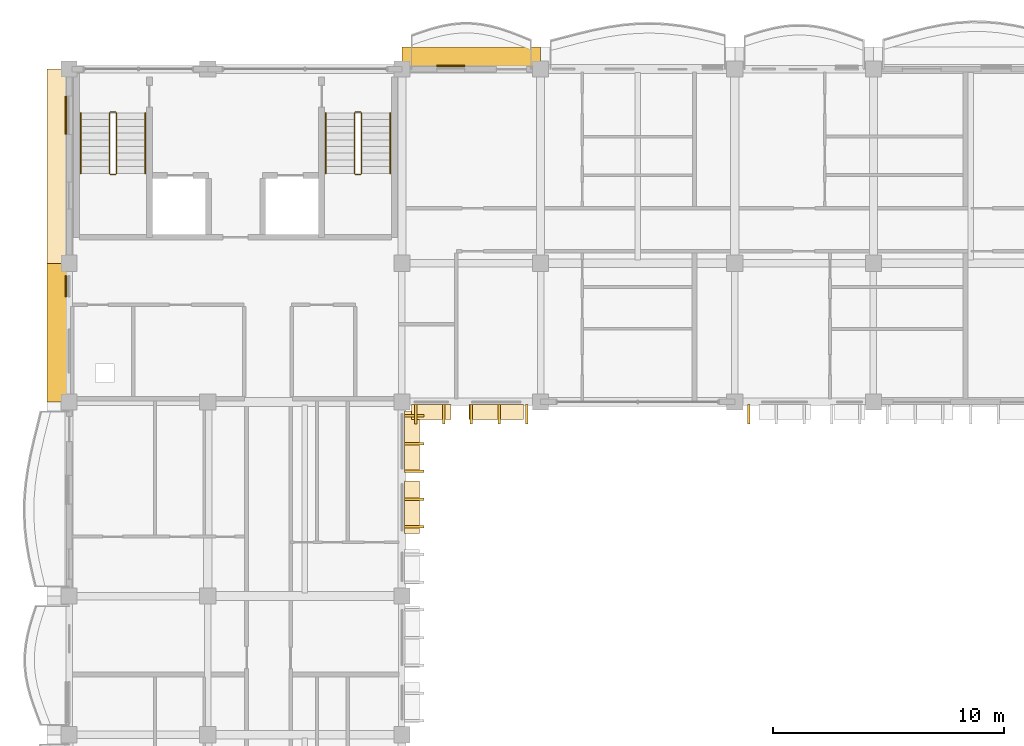
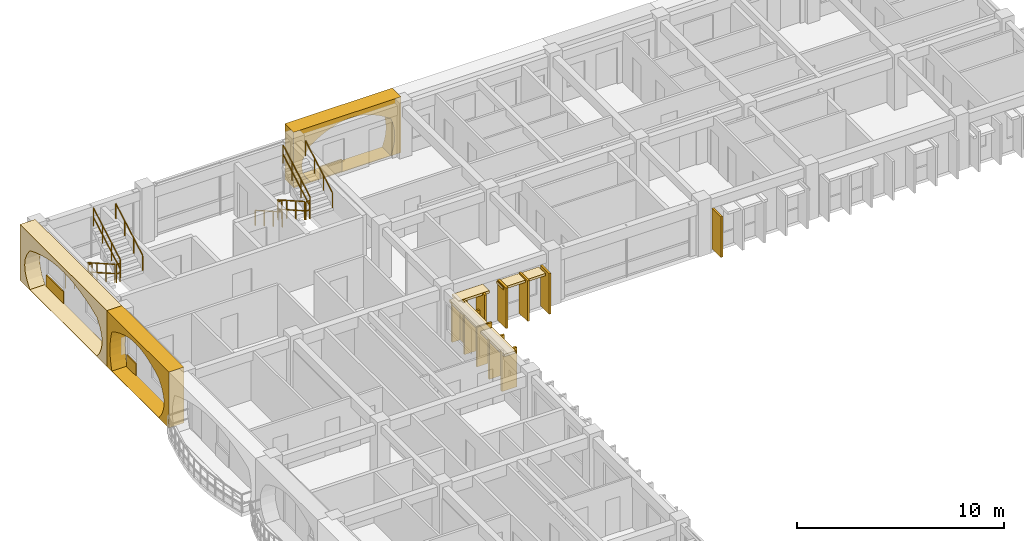
# One storey, part 60 of 79: 21 coverings, 12 railings.
"""IFC4 building model written with IfcOpenShell, lengths in metres."""

from ifc_helpers import new_model, si_unit, direction, frame, origin, origin_2d, place, context, subcontext, project, spatial, polyline, rectangle, outline, extrude, material, layer, layer_set, type_object, element, save


model = new_model("IFC4")

# Units and contexts
model_context = context("Model", 3, precision=1e-05, world=origin(), true_north=direction((0.0, 1.0)))
body_context = subcontext(model_context, "Body", "Model", "MODEL_VIEW")
ifc_project = project(units=[si_unit("LENGTHUNIT", "METRE"), si_unit("AREAUNIT", "SQUARE_METRE"), si_unit("VOLUMEUNIT", "CUBIC_METRE"), si_unit("PLANEANGLEUNIT", "RADIAN"), si_unit("MASSUNIT", "GRAM", prefix="KILO"), si_unit("THERMODYNAMICTEMPERATUREUNIT", "KELVIN")], contexts=[model_context])

# Site, building, storey
site_placement = place(None, origin())
site = spatial("IfcSite", under=ifc_project, at=site_placement, CompositionType="ELEMENT")
building_placement = place(site_placement, origin())
building = spatial("IfcBuilding", under=site, at=building_placement, Name="Thalorik Housing Commons", CompositionType="ELEMENT")
storey_placement = place(building_placement, frame((0.0, 0.0, 11.39990234375)))
storey = spatial("IfcBuildingStorey", under=building, at=storey_placement, Name="L03", CompositionType="ELEMENT", Elevation=11.39990234375)

# Coverings
ifc_material_1 = material(Name="Cobalt blue glazed ceramic facade tile panel", Category="masonry")
ifc_layer_1 = layer(ifc_material_1, 0.06005859375, Name="Cobalt blue glazed ceramic facade tile panel", Category="masonry")
ifc_layer_set_1 = layer_set([ifc_layer_1], Name="Cobalt blue glazed ceramic facade tile panel")
covering_type_1 = type_object("IfcCoveringType", Name="ARC-CLD-BLU-60", PredefinedType="CLADDING", material=ifc_layer_set_1)
covering_1_placement = place(storey_placement, frame((8.262451171875, 114.205078125, 0.05029296875), z_axis=(0.0, 0.0, 1.0), x_axis=(0.0, -1.0, 0.0)))
element("IfcCovering", 1, at=covering_1_placement, inside=storey, type_object=covering_type_1, Name="L03 De Stijl Recessed Window Spandrel 316", PredefinedType="CLADDING", context=body_context, shape_type="SweptSolid", body=[
    extrude(rectangle(XDim=0.89990234375, YDim=0.06005859375, at=origin_2d()), origin(), (0.0, 0.0, 1.0), 0.699951171875),
])
ifc_material_2 = material(Name="Precast concrete C40/50", Category="concrete")
ifc_layer_2 = layer(ifc_material_2, 0.85009765625, Name="Precast concrete C40/50", Category="concrete")
ifc_layer_set_2 = layer_set([ifc_layer_2], Name="Precast concrete C40/50")
covering_type_2 = type_object("IfcCoveringType", Name="ARC-CLD-CUSH-850", PredefinedType="CLADDING", material=ifc_layer_set_2)
covering_2_placement = place(storey_placement, frame((25.800048828125, 124.12744140625, 0.0), z_axis=(0.0, 0.0, 1.0), x_axis=(-1.0, 0.0, 0.0)))
element("IfcCovering", 2, at=covering_2_placement, inside=storey, type_object=covering_type_2, Name="L03 White Precast Curved Cushion Bay Frame 311", PredefinedType="CLADDING", context=body_context, shape_type="SweptSolid", body=[
    extrude(outline(polyline([(-3.0, 0.0), (3.0, 0.0), (3.0, 3.300048828125), (-3.0, 3.300048828125), (-3.0, 0.0)]), holes=[polyline([(2.0400390625, 0.02490234375), (2.3232421875, 0.387451171875), (2.493408203125, 0.75), (2.550048828125, 1.112548828125), (2.493408203125, 1.47509765625), (2.3232421875, 1.83740234375), (2.0400390625, 2.199951171875), (1.66748046875, 2.455810546875), (1.294921875, 2.656494140625), (0.922607421875, 2.819091796875), (0.550048828125, 2.940185546875), (0.177490234375, 3.014892578125), (-0.195068359375, 3.0400390625), (-0.5673828125, 3.014892578125), (-0.93994140625, 2.940185546875), (-1.3125, 2.819091796875), (-1.68505859375, 2.656494140625), (-2.0576171875, 2.455810546875), (-2.429931640625, 2.199951171875), (-2.55029296875, 1.83740234375), (-2.62255859375, 1.47509765625), (-2.646484375, 1.112548828125), (-2.62255859375, 0.75), (-2.55029296875, 0.387451171875), (-2.429931640625, 0.02490234375), (2.0400390625, 0.02490234375)])]), frame((0.0, 0.425048828125, 0.0), z_axis=(0.0, -1.0, 0.0), x_axis=(1.0, 0.0, 0.0)), (0.0, 0.0, 1.0), 0.85009765625),
])
covering_3_placement = place(storey_placement, frame((7.87255859375, 119.39990234375, 0.0), z_axis=(0.0, 0.0, 1.0), x_axis=(0.0, -1.0, 0.0)))
element("IfcCovering", 3, at=covering_3_placement, inside=storey, type_object=covering_type_2, Name="L03 White Precast Curved Cushion Bay Frame 313", PredefinedType="CLADDING", context=body_context, shape_type="SweptSolid", body=[
    extrude(outline(polyline([(-4.199951171875, 0.0), (4.199951171875, 0.0), (4.199951171875, 3.300048828125), (-4.199951171875, 3.300048828125), (-4.199951171875, 0.0)]), holes=[polyline([(3.239990234375, 0.02490234375), (3.523193359375, 0.407470703125), (3.693359375, 0.7900390625), (3.75, 1.172607421875), (3.693359375, 1.554931640625), (3.523193359375, 1.9375), (3.239990234375, 2.320068359375), (2.699951171875, 2.539306640625), (2.159912109375, 2.711181640625), (1.6201171875, 2.8505859375), (1.080078125, 2.954345703125), (0.5400390625, 3.018310546875), (0.0, 3.0400390625), (-0.5400390625, 3.018310546875), (-1.080078125, 2.954345703125), (-1.6201171875, 2.8505859375), (-2.159912109375, 2.711181640625), (-2.699951171875, 2.539306640625), (-3.239990234375, 2.320068359375), (-3.523193359375, 1.9375), (-3.693359375, 1.554931640625), (-3.75, 1.172607421875), (-3.693359375, 0.7900390625), (-3.523193359375, 0.407470703125), (-3.239990234375, 0.02490234375), (3.239990234375, 0.02490234375)])]), frame((0.0, 0.425048828125, 0.0), z_axis=(0.0, -1.0, 0.0), x_axis=(1.0, 0.0, 0.0)), (0.0, 0.0, 1.0), 0.85009765625),
])
covering_4_placement = place(storey_placement, frame((7.87255859375, 112.199951171875, 0.0), z_axis=(0.0, 0.0, 1.0), x_axis=(0.0, -1.0, 0.0)))
element("IfcCovering", 4, at=covering_4_placement, inside=storey, type_object=covering_type_2, Name="L03 White Precast Curved Cushion Bay Frame 315", PredefinedType="CLADDING", context=body_context, shape_type="SweptSolid", body=[
    extrude(outline(polyline([(-3.0, 0.0), (3.0, 0.0), (3.0, 3.300048828125), (-3.0, 3.300048828125), (-3.0, 0.0)]), holes=[polyline([(2.0400390625, 0.02490234375), (2.3232421875, 0.410888671875), (2.493408203125, 0.796630859375), (2.550048828125, 1.1826171875), (2.493408203125, 1.568359375), (2.3232421875, 1.9541015625), (2.0400390625, 2.340087890625), (1.661376953125, 2.552978515625), (1.282470703125, 2.720458984375), (0.90380859375, 2.85595703125), (0.52490234375, 2.956787109375), (0.146240234375, 3.01904296875), (-0.232421875, 3.0400390625), (-0.611328125, 3.01904296875), (-0.989990234375, 2.956787109375), (-1.36865234375, 2.85595703125), (-1.74755859375, 2.720458984375), (-2.126220703125, 2.552978515625), (-2.5048828125, 2.340087890625), (-2.609619140625, 1.9541015625), (-2.672119140625, 1.568359375), (-2.693115234375, 1.1826171875), (-2.672119140625, 0.796630859375), (-2.609619140625, 0.410888671875), (-2.5048828125, 0.02490234375), (2.0400390625, 0.02490234375)])]), frame((0.0, 0.425048828125, 0.0), z_axis=(0.0, -1.0, 0.0), x_axis=(1.0, 0.0, 0.0)), (0.0, 0.0, 1.0), 0.85009765625),
])
ifc_layer_3 = layer(ifc_material_2, 0.85009765625, Name="Precast concrete C40/50", Category="concrete")
ifc_layer_set_3 = layer_set([ifc_layer_3], Name="Precast concrete C40/50")
covering_type_3 = type_object("IfcCoveringType", Name="ARC-CLD-FIN-850", PredefinedType="CLADDING", material=ifc_layer_set_3)
for number, where, z_axis, x_axis, name in (
    (5, (23.39990234375, 108.672607421875, 0.0400390625), (0.0, 0.0, 1.0), (1.0, 0.0, 0.0), "L03 Courtyard Precast Vertical Brise-Soleil Fin 266"),
    (6, (24.60009765625, 108.672607421875, 0.0400390625), (0.0, 0.0, 1.0), (1.0, 0.0, 0.0), "L03 Courtyard Precast Vertical Brise-Soleil Fin 267"),
    (7, (25.800048828125, 108.672607421875, 0.0400390625), (0.0, 0.0, 1.0), (1.0, 0.0, 0.0), "L03 Courtyard Precast Vertical Brise-Soleil Fin 268"),
    (8, (27.0, 108.672607421875, 0.0400390625), (0.0, 0.0, 1.0), (1.0, 0.0, 0.0), "L03 Courtyard Precast Vertical Brise-Soleil Fin 269"),
    (9, (28.199951171875, 108.672607421875, 0.0400390625), (0.0, 0.0, 1.0), (1.0, 0.0, 0.0), "L03 Courtyard Precast Vertical Brise-Soleil Fin 270"),
    (10, (37.800048828125, 108.672607421875, 0.0400390625), (0.0, 0.0, 1.0), (1.0, 0.0, 0.0), "L03 Courtyard Precast Vertical Brise-Soleil Fin 273"),
):
    element("IfcCovering", number, at=place(storey_placement, frame(where, z_axis=z_axis, x_axis=x_axis)), inside=storey, type_object=covering_type_3, Name=name, PredefinedType="CLADDING", context=body_context, shape_type="SweptSolid", body=[
        extrude(rectangle(XDim=0.110107421875, YDim=0.85009765625, at=origin_2d()), origin(), (0.0, 0.0, 1.0), 2.39501953125),
    ])
for number, where, z_axis, x_axis, name in (
    (11, (23.327392578125, 103.800048828125, 0.0400390625), (0.0, 0.0, 1.0), (0.0, 1.0, 0.0), "L03 Courtyard Precast Vertical Brise-Soleil Fin 362"),
    (12, (23.327392578125, 105.0, 0.0400390625), (0.0, 0.0, 1.0), (0.0, 1.0, 0.0), "L03 Courtyard Precast Vertical Brise-Soleil Fin 363"),
    (13, (23.327392578125, 106.199951171875, 0.0400390625), (0.0, 0.0, 1.0), (0.0, 1.0, 0.0), "L03 Courtyard Precast Vertical Brise-Soleil Fin 364"),
    (14, (23.327392578125, 107.39990234375, 0.0400390625), (0.0, 0.0, 1.0), (0.0, 1.0, 0.0), "L03 Courtyard Precast Vertical Brise-Soleil Fin 365"),
    (15, (23.327392578125, 108.60009765625, 0.0400390625), (0.0, 0.0, 1.0), (0.0, 1.0, 0.0), "L03 Courtyard Precast Vertical Brise-Soleil Fin 366"),
):
    element("IfcCovering", number, at=place(storey_placement, frame(where, z_axis=z_axis, x_axis=x_axis)), inside=storey, type_object=covering_type_3, Name=name, PredefinedType="CLADDING", context=body_context, shape_type="SweptSolid", body=[
        extrude(rectangle(XDim=0.110107421875, YDim=0.85009765625, at=origin_2d()), origin(), (0.0, 0.0, 1.0), 2.344970703125),
    ])
ifc_layer_4 = layer(ifc_material_2, 0.64990234375, Name="Precast concrete C40/50", Category="concrete")
ifc_layer_set_4 = layer_set([ifc_layer_4], Name="Precast concrete C40/50")
covering_type_4 = type_object("IfcCoveringType", Name="ARC-CLD-HOOD-650", PredefinedType="CLADDING", material=ifc_layer_set_4)
covering_5_placement = place(storey_placement, frame((24.070068359375, 108.7724609375, 2.31005859375), z_axis=(0.0, 0.0, 1.0), x_axis=(1.0, 0.0, 0.0)))
element("IfcCovering", 16, at=covering_5_placement, inside=storey, type_object=covering_type_4, Name="L03 Courtyard Precast Window Sun-Hood 271", PredefinedType="CLADDING", context=body_context, shape_type="SweptSolid", body=[
    extrude(rectangle(XDim=1.719970703125, YDim=0.64990234375, at=origin_2d()), origin(), (0.0, 0.0, 1.0), 0.139892578125),
])
covering_6_placement = place(storey_placement, frame((26.8798828125, 108.7724609375, 2.22998046875), z_axis=(0.0, 0.0, 1.0), x_axis=(1.0, 0.0, 0.0)))
element("IfcCovering", 17, at=covering_6_placement, inside=storey, type_object=covering_type_4, Name="L03 Courtyard Precast Window Sun-Hood 272", PredefinedType="CLADDING", context=body_context, shape_type="SweptSolid", body=[
    extrude(rectangle(XDim=2.360107421875, YDim=0.64990234375, at=origin_2d()), origin(), (0.0, 0.0, 1.0), 0.139892578125),
])
covering_7_placement = place(storey_placement, frame((23.2275390625, 104.639892578125, 2.25), z_axis=(0.0, 0.0, 1.0), x_axis=(0.0, 1.0, 0.0)))
element("IfcCovering", 18, at=covering_7_placement, inside=storey, type_object=covering_type_4, Name="L03 Courtyard Precast Window Sun-Hood 368", PredefinedType="CLADDING", context=body_context, shape_type="SweptSolid", body=[
    extrude(rectangle(XDim=2.280029296875, YDim=0.64990234375, at=origin_2d()), origin(), (0.0, 0.0, 1.0), 0.139892578125),
])
covering_8_placement = place(storey_placement, frame((23.2275390625, 107.506591796875, 2.27001953125), z_axis=(0.0, 0.0, 1.0), x_axis=(0.0, 1.0, 0.0)))
element("IfcCovering", 19, at=covering_8_placement, inside=storey, type_object=covering_type_4, Name="L03 Courtyard Precast Window Sun-Hood 369", PredefinedType="CLADDING", context=body_context, shape_type="SweptSolid", body=[
    extrude(rectangle(XDim=2.6201171875, YDim=0.64990234375, at=origin_2d()), origin(), (0.0, 0.0, 1.0), 0.139892578125),
])
ifc_material_3 = material(Name="Terracotta red mineral fibre-cement panel", Category="masonry")
ifc_layer_5 = layer(ifc_material_3, 0.054931640625, Name="Terracotta red mineral fibre-cement panel", Category="masonry")
ifc_layer_set_5 = layer_set([ifc_layer_5], Name="Terracotta red mineral fibre-cement panel")
covering_type_5 = type_object("IfcCoveringType", Name="ARC-CLD-RED-55", PredefinedType="CLADDING", material=ifc_layer_set_5)
covering_9_placement = place(storey_placement, frame((24.909912109375, 123.735107421875, 0.05029296875), z_axis=(0.0, 0.0, 1.0), x_axis=(-1.0, 0.0, 0.0)))
element("IfcCovering", 20, at=covering_9_placement, inside=storey, type_object=covering_type_5, Name="L03 De Stijl Recessed Window Spandrel 312", PredefinedType="CLADDING", context=body_context, shape_type="SweptSolid", body=[
    extrude(rectangle(XDim=1.199951171875, YDim=0.054931640625, at=origin_2d()), origin(), (0.0, 0.0, 1.0), 0.699951171875),
])
covering_10_placement = place(storey_placement, frame((8.264892578125, 121.603759765625, 0.05029296875), z_axis=(0.0, 0.0, 1.0), x_axis=(0.0, -1.0, 0.0)))
element("IfcCovering", 21, at=covering_10_placement, inside=storey, type_object=covering_type_5, Name="L03 De Stijl Recessed Window Spandrel 314", PredefinedType="CLADDING", context=body_context, shape_type="SweptSolid", body=[
    extrude(rectangle(XDim=1.64990234375, YDim=0.054931640625, at=origin_2d()), origin(), (0.0, 0.0, 1.0), 0.699951171875),
])

# Railings
ifc_material_4 = material(Name="Steel S355", Category="steel")
railing_type_1 = type_object("IfcRailingType", Name="ARC-RL-STR-GRD110", PredefinedType="GUARDRAIL", material=ifc_material_4)
railing_1_placement = place(storey_placement, frame((10.14990234375, 121.699951171875, 0.1650390625)))
element("IfcRailing", 22, at=railing_1_placement, inside=storey, type_object=railing_type_1, Name="L03 ST-A1 stair guard 1", PredefinedType="GUARDRAIL", context=body_context, shape_type="SweptSolid", body=[
    extrude(rectangle(XDim=0.048095703125, YDim=0.048095703125, at=origin_2d()), frame((0.0, 0.0, 1.076171875), z_axis=(0.0, -0.869137319866, 0.494570843475), x_axis=(1.0, 0.0, 0.0)), (0.0, 0.0, 1.0), 3.0029296875),
    extrude(rectangle(XDim=0.048095703125, YDim=0.048095703125, at=origin_2d()), frame((0.0, 0.0, 0.52587890625), z_axis=(0.0, -0.869137319866, 0.494570843475), x_axis=(1.0, 0.0, 0.0)), (0.0, 0.0, 1.0), 3.0029296875),
    extrude(rectangle(XDim=0.0419921875, YDim=0.0419921875, at=origin_2d()), origin(), (0.0, 0.0, 1.0), 1.052001953125),
    extrude(rectangle(XDim=0.0419921875, YDim=0.0419921875, at=origin_2d()), frame((0.0, -0.869873046875, 0.4951171875)), (0.0, 0.0, 1.0), 1.052001953125),
    extrude(rectangle(XDim=0.0419921875, YDim=0.0419921875, at=origin_2d()), frame((0.0, -1.739990234375, 0.989990234375)), (0.0, 0.0, 1.0), 1.052001953125),
    extrude(rectangle(XDim=0.0419921875, YDim=0.0419921875, at=origin_2d()), frame((0.0, -2.60986328125, 1.485107421875)), (0.0, 0.0, 1.0), 1.052001953125),
])
railing_2_placement = place(storey_placement, frame((10.199951171875, 119.0400390625, 1.650146484375)))
element("IfcRailing", 23, at=railing_2_placement, inside=storey, type_object=railing_type_1, Name="L03 ST-A1 stair guard 2", PredefinedType="GUARDRAIL", context=body_context, shape_type="SweptSolid", body=[
    extrude(rectangle(XDim=0.048095703125, YDim=0.048095703125, at=origin_2d()), frame((0.0, 0.0, 1.076171875), z_axis=(1.0, 0.0, 0.0), x_axis=(0.0, 1.0, 0.0)), (0.0, 0.0, 1.0), 0.199951171875),
    extrude(rectangle(XDim=0.048095703125, YDim=0.048095703125, at=origin_2d()), frame((0.0, 0.0, 0.52587890625), z_axis=(1.0, 0.0, 0.0), x_axis=(0.0, 1.0, 0.0)), (0.0, 0.0, 1.0), 0.199951171875),
    extrude(rectangle(XDim=0.0419921875, YDim=0.0419921875, at=origin_2d()), origin(), (0.0, 0.0, 1.0), 1.052001953125),
    extrude(rectangle(XDim=0.0419921875, YDim=0.0419921875, at=origin_2d()), frame((0.199951171875, 0.0, 0.0)), (0.0, 0.0, 1.0), 1.052001953125),
])
railing_3_placement = place(storey_placement, frame((10.449951171875, 119.090087890625, 1.815185546875)))
element("IfcRailing", 24, at=railing_3_placement, inside=storey, type_object=railing_type_1, Name="L03 ST-A1 stair guard 3", PredefinedType="GUARDRAIL", context=body_context, shape_type="SweptSolid", body=[
    extrude(rectangle(XDim=0.048095703125, YDim=0.048095703125, at=origin_2d()), frame((0.0, 0.0, 1.076171875), z_axis=(0.0, 0.869172267526, 0.494509422927), x_axis=(-1.0, 0.0, 0.0)), (0.0, 0.0, 1.0), 3.002685546875),
    extrude(rectangle(XDim=0.048095703125, YDim=0.048095703125, at=origin_2d()), frame((0.0, 0.0, 0.52587890625), z_axis=(0.0, 0.869172267526, 0.494509422927), x_axis=(-1.0, 0.0, 0.0)), (0.0, 0.0, 1.0), 3.002685546875),
    extrude(rectangle(XDim=0.0419921875, YDim=0.0419921875, at=origin_2d()), origin(), (0.0, 0.0, 1.0), 1.052001953125),
    extrude(rectangle(XDim=0.0419921875, YDim=0.0419921875, at=origin_2d()), frame((0.0, 0.869873046875, 0.494873046875)), (0.0, 0.0, 1.0), 1.052001953125),
    extrude(rectangle(XDim=0.0419921875, YDim=0.0419921875, at=origin_2d()), frame((0.0, 1.739990234375, 0.989990234375)), (0.0, 0.0, 1.0), 1.052001953125),
    extrude(rectangle(XDim=0.0419921875, YDim=0.0419921875, at=origin_2d()), frame((0.0, 2.60986328125, 1.48486328125)), (0.0, 0.0, 1.0), 1.052001953125),
])
railing_4_placement = place(storey_placement, frame((10.199951171875, 121.75, 0.0)))
element("IfcRailing", 25, at=railing_4_placement, inside=storey, type_object=railing_type_1, Name="L03 ST-A1 stair guard 4", PredefinedType="GUARDRAIL", context=body_context, shape_type="SweptSolid", body=[
    extrude(rectangle(XDim=0.048095703125, YDim=0.048095703125, at=origin_2d()), frame((0.0, 0.0, 1.076171875), z_axis=(1.0, 0.0, 0.0), x_axis=(0.0, 1.0, 0.0)), (0.0, 0.0, 1.0), 0.199951171875),
    extrude(rectangle(XDim=0.048095703125, YDim=0.048095703125, at=origin_2d()), frame((0.0, 0.0, 0.52587890625), z_axis=(1.0, 0.0, 0.0), x_axis=(0.0, 1.0, 0.0)), (0.0, 0.0, 1.0), 0.199951171875),
    extrude(rectangle(XDim=0.0419921875, YDim=0.0419921875, at=origin_2d()), origin(), (0.0, 0.0, 1.0), 1.052001953125),
    extrude(rectangle(XDim=0.0419921875, YDim=0.0419921875, at=origin_2d()), frame((0.199951171875, 0.0, 0.0)), (0.0, 0.0, 1.0), 1.052001953125),
])
railing_5_placement = place(storey_placement, frame((20.75, 121.699951171875, 0.1650390625)))
element("IfcRailing", 26, at=railing_5_placement, inside=storey, type_object=railing_type_1, Name="L03 ST-A2 stair guard 1", PredefinedType="GUARDRAIL", context=body_context, shape_type="SweptSolid", body=[
    extrude(rectangle(XDim=0.048095703125, YDim=0.048095703125, at=origin_2d()), frame((0.0, 0.0, 1.076171875), z_axis=(0.0, -0.869137319866, 0.494570843475), x_axis=(1.0, 0.0, 0.0)), (0.0, 0.0, 1.0), 3.0029296875),
    extrude(rectangle(XDim=0.048095703125, YDim=0.048095703125, at=origin_2d()), frame((0.0, 0.0, 0.52587890625), z_axis=(0.0, -0.869137319866, 0.494570843475), x_axis=(1.0, 0.0, 0.0)), (0.0, 0.0, 1.0), 3.0029296875),
    extrude(rectangle(XDim=0.0419921875, YDim=0.0419921875, at=origin_2d()), origin(), (0.0, 0.0, 1.0), 1.052001953125),
    extrude(rectangle(XDim=0.0419921875, YDim=0.0419921875, at=origin_2d()), frame((0.0, -0.869873046875, 0.4951171875)), (0.0, 0.0, 1.0), 1.052001953125),
    extrude(rectangle(XDim=0.0419921875, YDim=0.0419921875, at=origin_2d()), frame((0.0, -1.739990234375, 0.989990234375)), (0.0, 0.0, 1.0), 1.052001953125),
    extrude(rectangle(XDim=0.0419921875, YDim=0.0419921875, at=origin_2d()), frame((0.0, -2.60986328125, 1.485107421875)), (0.0, 0.0, 1.0), 1.052001953125),
])
railing_6_placement = place(storey_placement, frame((20.800048828125, 119.0400390625, 1.650146484375)))
element("IfcRailing", 27, at=railing_6_placement, inside=storey, type_object=railing_type_1, Name="L03 ST-A2 stair guard 2", PredefinedType="GUARDRAIL", context=body_context, shape_type="SweptSolid", body=[
    extrude(rectangle(XDim=0.048095703125, YDim=0.048095703125, at=origin_2d()), frame((0.0, 0.0, 1.076171875), z_axis=(1.0, 0.0, 0.0), x_axis=(0.0, 1.0, 0.0)), (0.0, 0.0, 1.0), 0.199951171875),
    extrude(rectangle(XDim=0.048095703125, YDim=0.048095703125, at=origin_2d()), frame((0.0, 0.0, 0.52587890625), z_axis=(1.0, 0.0, 0.0), x_axis=(0.0, 1.0, 0.0)), (0.0, 0.0, 1.0), 0.199951171875),
    extrude(rectangle(XDim=0.0419921875, YDim=0.0419921875, at=origin_2d()), origin(), (0.0, 0.0, 1.0), 1.052001953125),
    extrude(rectangle(XDim=0.0419921875, YDim=0.0419921875, at=origin_2d()), frame((0.199951171875, 0.0, 0.0)), (0.0, 0.0, 1.0), 1.052001953125),
])
railing_7_placement = place(storey_placement, frame((21.050048828125, 119.090087890625, 1.815185546875)))
element("IfcRailing", 28, at=railing_7_placement, inside=storey, type_object=railing_type_1, Name="L03 ST-A2 stair guard 3", PredefinedType="GUARDRAIL", context=body_context, shape_type="SweptSolid", body=[
    extrude(rectangle(XDim=0.048095703125, YDim=0.048095703125, at=origin_2d()), frame((0.0, 0.0, 1.076171875), z_axis=(0.0, 0.869172267526, 0.494509422927), x_axis=(-1.0, 0.0, 0.0)), (0.0, 0.0, 1.0), 3.002685546875),
    extrude(rectangle(XDim=0.048095703125, YDim=0.048095703125, at=origin_2d()), frame((0.0, 0.0, 0.52587890625), z_axis=(0.0, 0.869172267526, 0.494509422927), x_axis=(-1.0, 0.0, 0.0)), (0.0, 0.0, 1.0), 3.002685546875),
    extrude(rectangle(XDim=0.0419921875, YDim=0.0419921875, at=origin_2d()), origin(), (0.0, 0.0, 1.0), 1.052001953125),
    extrude(rectangle(XDim=0.0419921875, YDim=0.0419921875, at=origin_2d()), frame((0.0, 0.869873046875, 0.494873046875)), (0.0, 0.0, 1.0), 1.052001953125),
    extrude(rectangle(XDim=0.0419921875, YDim=0.0419921875, at=origin_2d()), frame((0.0, 1.739990234375, 0.989990234375)), (0.0, 0.0, 1.0), 1.052001953125),
    extrude(rectangle(XDim=0.0419921875, YDim=0.0419921875, at=origin_2d()), frame((0.0, 2.60986328125, 1.48486328125)), (0.0, 0.0, 1.0), 1.052001953125),
])
railing_8_placement = place(storey_placement, frame((20.800048828125, 121.75, 0.0)))
element("IfcRailing", 29, at=railing_8_placement, inside=storey, type_object=railing_type_1, Name="L03 ST-A2 stair guard 4", PredefinedType="GUARDRAIL", context=body_context, shape_type="SweptSolid", body=[
    extrude(rectangle(XDim=0.048095703125, YDim=0.048095703125, at=origin_2d()), frame((0.0, 0.0, 1.076171875), z_axis=(1.0, 0.0, 0.0), x_axis=(0.0, 1.0, 0.0)), (0.0, 0.0, 1.0), 0.199951171875),
    extrude(rectangle(XDim=0.048095703125, YDim=0.048095703125, at=origin_2d()), frame((0.0, 0.0, 0.52587890625), z_axis=(1.0, 0.0, 0.0), x_axis=(0.0, 1.0, 0.0)), (0.0, 0.0, 1.0), 0.199951171875),
    extrude(rectangle(XDim=0.0419921875, YDim=0.0419921875, at=origin_2d()), origin(), (0.0, 0.0, 1.0), 1.052001953125),
    extrude(rectangle(XDim=0.0419921875, YDim=0.0419921875, at=origin_2d()), frame((0.199951171875, 0.0, 0.0)), (0.0, 0.0, 1.0), 1.052001953125),
])
railing_type_2 = type_object("IfcRailingType", Name="ARC-RL-STR-HR092", PredefinedType="HANDRAIL", material=ifc_material_4)
railing_9_placement = place(storey_placement, frame((8.89990234375, 121.699951171875, 0.1650390625)))
element("IfcRailing", 30, at=railing_9_placement, inside=storey, type_object=railing_type_2, Name="L03 ST-A1 stair handrail 1", PredefinedType="HANDRAIL", context=body_context, shape_type="SweptSolid", body=[
    extrude(rectangle(XDim=0.048095703125, YDim=0.048095703125, at=origin_2d()), frame((0.0, 0.0, 0.89599609375), z_axis=(0.0, -0.869137319866, 0.494570843475), x_axis=(1.0, 0.0, 0.0)), (0.0, 0.0, 1.0), 3.0029296875),
    extrude(rectangle(XDim=0.0419921875, YDim=0.0419921875, at=origin_2d()), origin(), (0.0, 0.0, 1.0), 0.871826171875),
    extrude(rectangle(XDim=0.0419921875, YDim=0.0419921875, at=origin_2d()), frame((0.0, -0.869873046875, 0.4951171875)), (0.0, 0.0, 1.0), 0.871826171875),
    extrude(rectangle(XDim=0.0419921875, YDim=0.0419921875, at=origin_2d()), frame((0.0, -1.739990234375, 0.989990234375)), (0.0, 0.0, 1.0), 0.871826171875),
    extrude(rectangle(XDim=0.0419921875, YDim=0.0419921875, at=origin_2d()), frame((0.0, -2.60986328125, 1.485107421875)), (0.0, 0.0, 1.0), 0.871826171875),
])
railing_10_placement = place(storey_placement, frame((11.699951171875, 119.090087890625, 1.815185546875)))
element("IfcRailing", 31, at=railing_10_placement, inside=storey, type_object=railing_type_2, Name="L03 ST-A1 stair handrail 2", PredefinedType="HANDRAIL", context=body_context, shape_type="SweptSolid", body=[
    extrude(rectangle(XDim=0.048095703125, YDim=0.048095703125, at=origin_2d()), frame((0.0, 0.0, 0.89599609375), z_axis=(0.0, 0.869172267526, 0.494509422927), x_axis=(-1.0, 0.0, 0.0)), (0.0, 0.0, 1.0), 3.002685546875),
    extrude(rectangle(XDim=0.0419921875, YDim=0.0419921875, at=origin_2d()), origin(), (0.0, 0.0, 1.0), 0.871826171875),
    extrude(rectangle(XDim=0.0419921875, YDim=0.0419921875, at=origin_2d()), frame((0.0, 0.869873046875, 0.494873046875)), (0.0, 0.0, 1.0), 0.871826171875),
    extrude(rectangle(XDim=0.0419921875, YDim=0.0419921875, at=origin_2d()), frame((0.0, 1.739990234375, 0.989990234375)), (0.0, 0.0, 1.0), 0.871826171875),
    extrude(rectangle(XDim=0.0419921875, YDim=0.0419921875, at=origin_2d()), frame((0.0, 2.60986328125, 1.48486328125)), (0.0, 0.0, 1.0), 0.871826171875),
])
railing_11_placement = place(storey_placement, frame((19.5, 121.699951171875, 0.1650390625)))
element("IfcRailing", 32, at=railing_11_placement, inside=storey, type_object=railing_type_2, Name="L03 ST-A2 stair handrail 1", PredefinedType="HANDRAIL", context=body_context, shape_type="SweptSolid", body=[
    extrude(rectangle(XDim=0.048095703125, YDim=0.048095703125, at=origin_2d()), frame((0.0, 0.0, 0.89599609375), z_axis=(0.0, -0.869137319866, 0.494570843475), x_axis=(1.0, 0.0, 0.0)), (0.0, 0.0, 1.0), 3.0029296875),
    extrude(rectangle(XDim=0.0419921875, YDim=0.0419921875, at=origin_2d()), origin(), (0.0, 0.0, 1.0), 0.871826171875),
    extrude(rectangle(XDim=0.0419921875, YDim=0.0419921875, at=origin_2d()), frame((0.0, -0.869873046875, 0.4951171875)), (0.0, 0.0, 1.0), 0.871826171875),
    extrude(rectangle(XDim=0.0419921875, YDim=0.0419921875, at=origin_2d()), frame((0.0, -1.739990234375, 0.989990234375)), (0.0, 0.0, 1.0), 0.871826171875),
    extrude(rectangle(XDim=0.0419921875, YDim=0.0419921875, at=origin_2d()), frame((0.0, -2.60986328125, 1.485107421875)), (0.0, 0.0, 1.0), 0.871826171875),
])
railing_12_placement = place(storey_placement, frame((22.300048828125, 119.090087890625, 1.815185546875)))
element("IfcRailing", 33, at=railing_12_placement, inside=storey, type_object=railing_type_2, Name="L03 ST-A2 stair handrail 2", PredefinedType="HANDRAIL", context=body_context, shape_type="SweptSolid", body=[
    extrude(rectangle(XDim=0.048095703125, YDim=0.048095703125, at=origin_2d()), frame((0.0, 0.0, 0.89599609375), z_axis=(0.0, 0.869172267526, 0.494509422927), x_axis=(-1.0, 0.0, 0.0)), (0.0, 0.0, 1.0), 3.002685546875),
    extrude(rectangle(XDim=0.0419921875, YDim=0.0419921875, at=origin_2d()), origin(), (0.0, 0.0, 1.0), 0.871826171875),
    extrude(rectangle(XDim=0.0419921875, YDim=0.0419921875, at=origin_2d()), frame((0.0, 0.869873046875, 0.494873046875)), (0.0, 0.0, 1.0), 0.871826171875),
    extrude(rectangle(XDim=0.0419921875, YDim=0.0419921875, at=origin_2d()), frame((0.0, 1.739990234375, 0.989990234375)), (0.0, 0.0, 1.0), 0.871826171875),
    extrude(rectangle(XDim=0.0419921875, YDim=0.0419921875, at=origin_2d()), frame((0.0, 2.60986328125, 1.48486328125)), (0.0, 0.0, 1.0), 0.871826171875),
])

save(model, "model.ifc")
